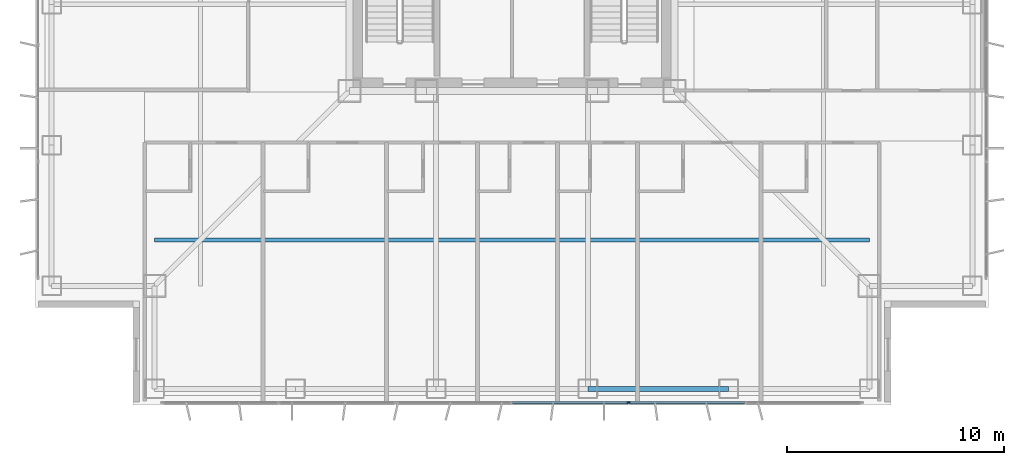
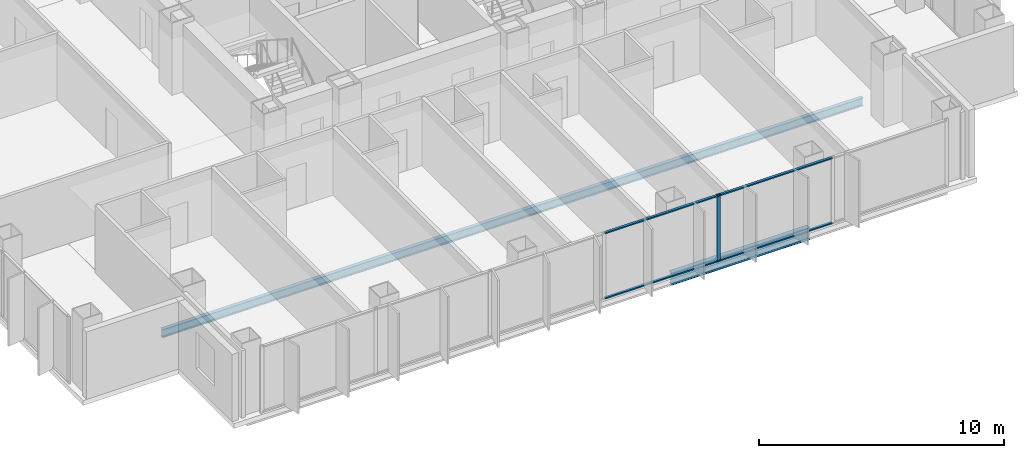
# One storey, part 3 of 18: 5 members, 2 beams, 1 element without a shape of its own.
"""IFC4 building model written with IfcOpenShell, lengths in metres."""

import ifcopenshell
import ifcopenshell.guid

model = None  # the IFC model being written
_history = None  # IfcOwnerHistory: only IFC2X3 demands one
_inside = {}  # id of a spatial element -> (the spatial element, [elements in it])
_under = {}  # id of a project, library or spatial element -> (it, [spatial elements below it])
_declared = {}  # id of a project -> (the project, [libraries it declares])
_typed = {}  # id of a type object -> (the type object, [elements of that type])
_made_of = {}  # id of a material, layer set ... -> (it, [elements and type objects made of it])


def new_model(schema):
    """Start an empty IFC model of exactly this schema.

    Asked for "IFC4X3", IfcOpenShell would pick the latest addendum, in which some entities
    have other attributes; the version numbers below select the first issue.
    IFC2X3 requires an IfcOwnerHistory on every rooted entity: one is made here for all.
    """
    global model, _history
    if schema == "IFC4X3":
        model = ifcopenshell.file(schema_version=(4, 3, 0, 0))
    else:
        model = ifcopenshell.file(schema=schema)
    _inside.clear()
    _under.clear()
    _declared.clear()
    _typed.clear()
    _made_of.clear()
    _history = None
    if model.schema == "IFC2X3":
        org = make("IfcOrganization", Name="unknown")
        user = make(
            "IfcPersonAndOrganization",
            ThePerson=make("IfcPerson", FamilyName="unknown"),
            TheOrganization=org,
        )
        app = make(
            "IfcApplication",
            ApplicationDeveloper=org,
            Version="unknown",
            ApplicationFullName="unknown",
            ApplicationIdentifier="unknown",
        )
        _history = make(
            "IfcOwnerHistory",
            OwningUser=user,
            OwningApplication=app,
            ChangeAction="ADDED",
            CreationDate=0,
        )
    return model


def make(cls, **values):
    """One entity of the class cls with the attributes given. An attribute that is None is left unset."""
    return model.create_entity(
        cls, **{name: value for name, value in values.items() if value is not None}
    )


def rooted(cls, **values):
    """An entity with a GlobalId (a new one), such as an element, a storey or a relation."""
    return make(cls, GlobalId=ifcopenshell.guid.new(), OwnerHistory=_history, **values)


def si_unit(unit_type, name, prefix=None):
    """IfcSIUnit, for example si_unit("LENGTHUNIT", "METRE", prefix="MILLI")."""
    return make("IfcSIUnit", UnitType=unit_type, Prefix=prefix, Name=name)


def assignment(units):
    """IfcUnitAssignment: the units of a project."""
    return None if units is None else make("IfcUnitAssignment", Units=units)


def point(xyz):
    """IfcCartesianPoint."""
    return None if xyz is None else make("IfcCartesianPoint", Coordinates=xyz)


def direction(xyz):
    """IfcDirection."""
    return None if xyz is None else make("IfcDirection", DirectionRatios=xyz)


def frame(location, z_axis=None, x_axis=None):
    """IfcAxis2Placement3D, a coordinate frame: its origin and axes. An axis left out is left unset."""
    return make(
        "IfcAxis2Placement3D",
        Location=point(location),
        Axis=direction(z_axis),
        RefDirection=direction(x_axis),
    )


def frame_2d(location, x_axis=None):
    """IfcAxis2Placement2D, a coordinate frame in the plane: its origin and x axis."""
    return make(
        "IfcAxis2Placement2D", Location=point(location), RefDirection=direction(x_axis)
    )


def origin():
    """The frame at (0, 0, 0) with its axes left unset."""
    return frame((0.0, 0.0, 0.0))


def origin_2d():
    """The frame at (0, 0) in the plane with its x axis left unset."""
    return frame_2d((0.0, 0.0))


def place(relative_to, where):
    """IfcLocalPlacement: puts the frame where relative to a parent placement (None: the world)."""
    return make(
        "IfcLocalPlacement", PlacementRelTo=relative_to, RelativePlacement=where
    )


def context(
    kind, dimensions, precision=None, world=None, true_north=None, identifier=None
):
    """IfcGeometricRepresentationContext, for example the 3D "Model" context."""
    return make(
        "IfcGeometricRepresentationContext",
        ContextIdentifier=identifier,
        ContextType=kind,
        CoordinateSpaceDimension=dimensions,
        Precision=precision,
        WorldCoordinateSystem=world,
        TrueNorth=true_north,
    )


def subcontext(parent, identifier, kind, view, scale=None):
    """IfcGeometricRepresentationSubContext, for example "Body" below "Model"."""
    return make(
        "IfcGeometricRepresentationSubContext",
        ContextIdentifier=identifier,
        ContextType=kind,
        ParentContext=parent,
        TargetScale=scale,
        TargetView=view,
    )


def project(units=None, contexts=None):
    """IfcProject with its units and contexts."""
    return rooted(
        "IfcProject",
        Name="project",
        RepresentationContexts=contexts,
        UnitsInContext=assignment(units),
    )


def spatial(cls, under=None, at=None, **own):
    """A site, building, storey or space (cls), placed at a placement, below another one or the project."""
    s = rooted(cls, ObjectPlacement=at, **own)
    if under is not None:
        _under.setdefault(under.id(), (under, []))[1].append(s)
    return s


def profile(cls, at=None, kind="AREA", **sizes):
    """A parametric profile (cls). Its sizes go by their IFC names, for example OverallWidth=200.0."""
    return make(cls, ProfileType=kind, Position=at, **sizes)


def rectangle(**sizes):
    """IfcRectangleProfileDef."""
    return profile("IfcRectangleProfileDef", **sizes)


def i_section(**sizes):
    """IfcIShapeProfileDef."""
    return profile("IfcIShapeProfileDef", **sizes)


def extrude(swept, where, along, depth):
    """IfcExtrudedAreaSolid: the profile swept, set in the frame where, extruded along a direction by depth."""
    return make(
        "IfcExtrudedAreaSolid",
        SweptArea=swept,
        Position=where,
        ExtrudedDirection=direction(along),
        Depth=depth,
    )


def shape(context_of_items, identifier, shape_type, items):
    """IfcShapeRepresentation: the items that make up one representation, for example the "Body"."""
    return make(
        "IfcShapeRepresentation",
        ContextOfItems=context_of_items,
        RepresentationIdentifier=identifier,
        RepresentationType=shape_type,
        Items=items,
    )


def material(Name=None, Category=None):
    """IfcMaterial."""
    return make("IfcMaterial", Name=Name, Category=Category)


def layer(
    of_material, thickness, ventilated=None, Name=None, Category=None, Priority=None
):
    """IfcMaterialLayer: one layer of a wall or slab, of a material (None: an air gap)."""
    return make(
        "IfcMaterialLayer",
        Material=of_material,
        LayerThickness=thickness,
        IsVentilated=ventilated,
        Name=Name,
        Category=Category,
        Priority=Priority,
    )


def layer_set(layers, Name=None):
    """IfcMaterialLayerSet."""
    return make("IfcMaterialLayerSet", MaterialLayers=layers, LayerSetName=Name)


def material_profile(
    of_material, cross_section, Name=None, Category=None, Priority=None
):
    """IfcMaterialProfile: a cross section and its material."""
    return make(
        "IfcMaterialProfile",
        Name=Name,
        Material=of_material,
        Profile=cross_section,
        Priority=Priority,
        Category=Category,
    )


def profile_set(profiles, Name=None, composite=None):
    """IfcMaterialProfileSet."""
    return make(
        "IfcMaterialProfileSet",
        Name=Name,
        MaterialProfiles=profiles,
        CompositeProfile=composite,
    )


def made_of(thing, what):
    """Note that an element or type object is made of a material, layer set ...; save() writes the relation."""
    if what is not None:
        _made_of.setdefault(what.id(), (what, []))[1].append(thing)
    return thing


def type_object(cls, material=None, **own):
    """A type object (cls), such as IfcWallType, which elements share."""
    return made_of(rooted(cls, **own), material)


def element(
    cls,
    number,
    at=None,
    inside=None,
    cuts=None,
    type_object=None,
    material=None,
    context=None,
    identifier="Body",
    shape_type=None,
    held_by="IfcProductDefinitionShape",
    body=None,
    shapes=None,
    **own,
):
    """One element of the class cls, such as IfcWall. Its Tag is "e" and its number.

    at: its placement. inside: the storey or other place that contains it. cuts: it is an
    opening in that element (IfcRelVoidsElement). A single representation is given by context,
    identifier, shape_type and body (its items); several are given by shapes. held_by: the class
    of the entity that holds the representations. save() writes the other relations.
    """
    e = rooted(cls, Tag="e%d" % number, ObjectPlacement=at, **own)
    if body is not None:
        shapes = [shape(context, identifier, shape_type, body)]
    if shapes is not None:
        e.Representation = make(held_by, Representations=shapes)
    if inside is not None:
        _inside.setdefault(inside.id(), (inside, []))[1].append(e)
    if cuts is not None:
        rooted(
            "IfcRelVoidsElement", RelatingBuildingElement=cuts, RelatedOpeningElement=e
        )
    if type_object is not None:
        _typed.setdefault(type_object.id(), (type_object, []))[1].append(e)
    return made_of(e, material)


def aggregate(whole, parts):
    """IfcRelAggregates: a whole, such as a stair, and the parts it consists of."""
    return rooted("IfcRelAggregates", RelatingObject=whole, RelatedObjects=parts)


def save(model, path):
    """Write the relations noted so far, then the file.

    IfcRelAggregates (storeys below a building ...), IfcRelContainedInSpatialStructure (elements
    in a storey), IfcRelDefinesByType, IfcRelAssociatesMaterial and IfcRelDeclares: one each for
    every whole, place, type object, material and project.
    """
    for whole, parts in _under.values():
        aggregate(whole, parts)
    for where, things in _inside.values():
        rooted(
            "IfcRelContainedInSpatialStructure",
            RelatedElements=things,
            RelatingStructure=where,
        )
    for kind, things in _typed.values():
        rooted("IfcRelDefinesByType", RelatedObjects=things, RelatingType=kind)
    for what, things in _made_of.values():
        rooted("IfcRelAssociatesMaterial", RelatedObjects=things, RelatingMaterial=what)
    for by, libraries in _declared.values():
        rooted("IfcRelDeclares", RelatingContext=by, RelatedDefinitions=libraries)
    model.write(path)


model = new_model("IFC4")

# Units and contexts
model_context = context("Model", 3, precision=1e-05, world=origin(), true_north=direction((0.0, 1.0)))
body_context = subcontext(model_context, "Body", "Model", "MODEL_VIEW")
ifc_project = project(units=[si_unit("LENGTHUNIT", "METRE"), si_unit("AREAUNIT", "SQUARE_METRE"), si_unit("VOLUMEUNIT", "CUBIC_METRE"), si_unit("PLANEANGLEUNIT", "RADIAN"), si_unit("MASSUNIT", "GRAM", prefix="KILO")], contexts=[model_context])

# Site, building, storey
site_placement = place(None, origin())
site = spatial("IfcSite", under=ifc_project, at=site_placement, CompositionType="ELEMENT")
building_placement = place(site_placement, origin())
building = spatial("IfcBuilding", under=site, at=building_placement, Name="Trevonay Congress Spire", CompositionType="ELEMENT")
storey_placement = place(building_placement, frame((0.0, 0.0, 148.0)))
storey = spatial("IfcBuildingStorey", under=building, at=storey_placement, Name="L38", CompositionType="ELEMENT", Elevation=148.0)

# Beam
ifc_material_1 = material(Name="Steel ASTM A572 Grade 50", Category="steel")
ifc_material_profile_1 = material_profile(ifc_material_1, i_section(OverallWidth=0.22802734375, OverallDepth=0.60791015625, WebThickness=0.01123046875, FlangeThickness=0.017333984375, FilletRadius=0.01611328125, at=origin_2d()), Name="W610x113")
ifc_profile_set_1 = profile_set([ifc_material_profile_1], Name="Steel ASTM A572 Grade 50")
beam_type_1 = type_object("IfcBeamType", Name="BM-RING-W610X113", PredefinedType="BEAM", material=ifc_profile_set_1)
beam_1_placement = place(storey_placement, frame((3.5, -21.25, -0.5439453125), z_axis=(1.0, 0.0, 0.0), x_axis=(0.0, 1.0, 0.0)))
element("IfcBeam", 1, at=beam_1_placement, inside=storey, type_object=beam_type_1, Name="L38 structural beam BM-L38-PS4", PredefinedType="BEAM", context=body_context, shape_type="SweptSolid", body=[
    extrude(i_section(OverallWidth=0.22802734375, OverallDepth=0.60791015625, WebThickness=0.01123046875, FlangeThickness=0.017333984375, FilletRadius=0.01611328125, at=origin_2d()), origin(), (0.0, 0.0, 1.0), 6.5),
])

# Curtain wall, members
ifc_material_2 = material(Name="Pale Anodised Aluminium EN AW-6063-T6", Category="aluminium")
ifc_layer = layer(ifc_material_2, 0.175048828125, Name="Pale Anodised Aluminium EN AW-6063-T6")
ifc_layer_set = layer_set([ifc_layer], Name="Pale Anodised Aluminium EN AW-6063-T6")
curtain_wall_type = type_object("IfcCurtainWallType", Name="CW-SYS03-CONGRESS-PALE-METAL", PredefinedType="NOTDEFINED", material=ifc_layer_set)
curtain_wall_placement = place(storey_placement, origin())
curtain_wall = element("IfcCurtainWall", 2, at=curtain_wall_placement, inside=storey, type_object=curtain_wall_type, Name="L38 S unitised curtain wall", PredefinedType="NOTDEFINED")
ifc_material_profile_2 = material_profile(ifc_material_2, rectangle(XDim=0.06005859375, YDim=0.159912109375, at=origin_2d()), Name="CW-MULLION-160-ALUMINIUM")
ifc_profile_set_2 = profile_set([ifc_material_profile_2], Name="Pale Anodised Aluminium EN AW-6063-T6")
member_type_1 = type_object("IfcMemberType", Name="CW-MULLION-160-ALUMINIUM", PredefinedType="MULLION", material=ifc_profile_set_2)
member_1_placement = place(storey_placement, frame((5.38330078125, -21.8798828125, 0.0), z_axis=(0.0, 0.0, 1.0), x_axis=(0.0, 1.0, 0.0)))
member_1 = element("IfcMember", 3, at=member_1_placement, type_object=member_type_1, Name="CW03 mullion 5", PredefinedType="MULLION", context=body_context, shape_type="SweptSolid", body=[
    extrude(rectangle(XDim=0.06005859375, YDim=0.159912109375, at=origin_2d()), origin(), (0.0, 0.0, 1.0), 3.360107421875),
])
ifc_material_profile_3 = material_profile(ifc_material_2, rectangle(XDim=0.1201171875, YDim=0.06005859375, at=origin_2d()), Name="CW-TRANSOM-120-ALUMINIUM")
ifc_profile_set_3 = profile_set([ifc_material_profile_3], Name="Pale Anodised Aluminium EN AW-6063-T6")
member_type_2 = type_object("IfcMemberType", Name="CW-TRANSOM-120-ALUMINIUM", PredefinedType="USERDEFINED", material=ifc_profile_set_3)
member_2_placement = place(storey_placement, frame((0.030029296875, -21.8798828125, 0.06005859375), z_axis=(1.0, 0.0, 0.0), x_axis=(0.0, 1.0, 0.0)))
member_2 = element("IfcMember", 4, at=member_2_placement, type_object=member_type_2, Name="CW03 transom 4.1", ObjectType="TRANSOM", PredefinedType="USERDEFINED", context=body_context, shape_type="SweptSolid", body=[
    extrude(rectangle(XDim=0.1201171875, YDim=0.06005859375, at=origin_2d()), origin(), (0.0, 0.0, 1.0), 5.3232421875),
])
member_3_placement = place(storey_placement, frame((0.030029296875, -21.8798828125, 3.300048828125), z_axis=(1.0, 0.0, 0.0), x_axis=(0.0, 1.0, 0.0)))
member_3 = element("IfcMember", 5, at=member_3_placement, type_object=member_type_2, Name="CW03 transom 4.2", ObjectType="TRANSOM", PredefinedType="USERDEFINED", context=body_context, shape_type="SweptSolid", body=[
    extrude(rectangle(XDim=0.1201171875, YDim=0.06005859375, at=origin_2d()), origin(), (0.0, 0.0, 1.0), 5.3232421875),
])
member_4_placement = place(storey_placement, frame((5.413330078125, -21.8798828125, 0.06005859375), z_axis=(1.0, 0.0, 0.0), x_axis=(0.0, 1.0, 0.0)))
member_4 = element("IfcMember", 6, at=member_4_placement, type_object=member_type_2, Name="CW03 transom 5.1", ObjectType="TRANSOM", PredefinedType="USERDEFINED", context=body_context, shape_type="SweptSolid", body=[
    extrude(rectangle(XDim=0.1201171875, YDim=0.06005859375, at=origin_2d()), origin(), (0.0, 0.0, 1.0), 5.3232421875),
])
member_5_placement = place(storey_placement, frame((5.413330078125, -21.8798828125, 3.300048828125), z_axis=(1.0, 0.0, 0.0), x_axis=(0.0, 1.0, 0.0)))
member_5 = element("IfcMember", 7, at=member_5_placement, type_object=member_type_2, Name="CW03 transom 5.2", ObjectType="TRANSOM", PredefinedType="USERDEFINED", context=body_context, shape_type="SweptSolid", body=[
    extrude(rectangle(XDim=0.1201171875, YDim=0.06005859375, at=origin_2d()), origin(), (0.0, 0.0, 1.0), 5.3232421875),
])
aggregate(curtain_wall, [member_1, member_2, member_3, member_4, member_5])

# Beam
ifc_material_profile_4 = material_profile(ifc_material_1, i_section(OverallWidth=0.177978515625, OverallDepth=0.406982421875, WebThickness=0.0078125, FlangeThickness=0.0126953125, FilletRadius=0.012939453125, at=origin_2d()), Name="W410x60")
ifc_profile_set_4 = profile_set([ifc_material_profile_4], Name="Steel ASTM A572 Grade 50")
beam_type_2 = type_object("IfcBeamType", Name="JS-COMP-W410X60", PredefinedType="JOIST", material=ifc_profile_set_4)
beam_2_placement = place(storey_placement, frame((-16.5, -14.375, -0.443603515625), z_axis=(1.0, 0.0, 0.0), x_axis=(0.0, 1.0, 0.0)))
element("IfcBeam", 8, at=beam_2_placement, inside=storey, type_object=beam_type_2, Name="L38 structural beam JS-L38-RING-S", PredefinedType="JOIST", context=body_context, shape_type="SweptSolid", body=[
    extrude(i_section(OverallWidth=0.177978515625, OverallDepth=0.406982421875, WebThickness=0.0078125, FlangeThickness=0.0126953125, FilletRadius=0.012939453125, at=origin_2d()), origin(), (0.0, 0.0, 1.0), 33.0),
])

save(model, "model.ifc")
